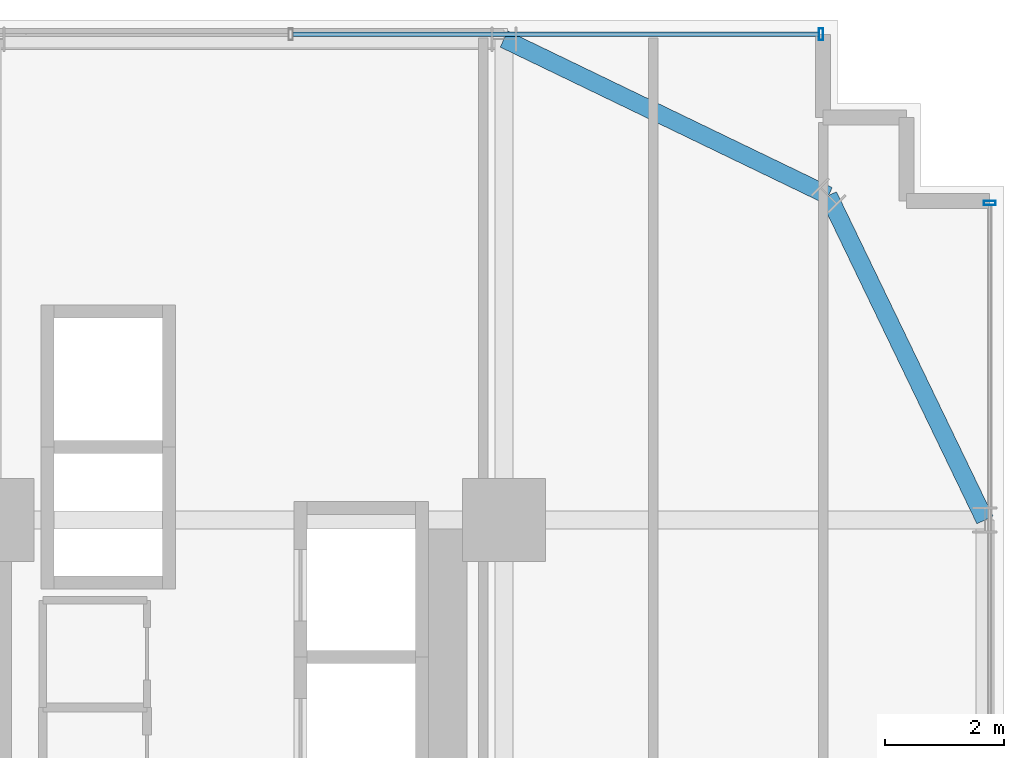
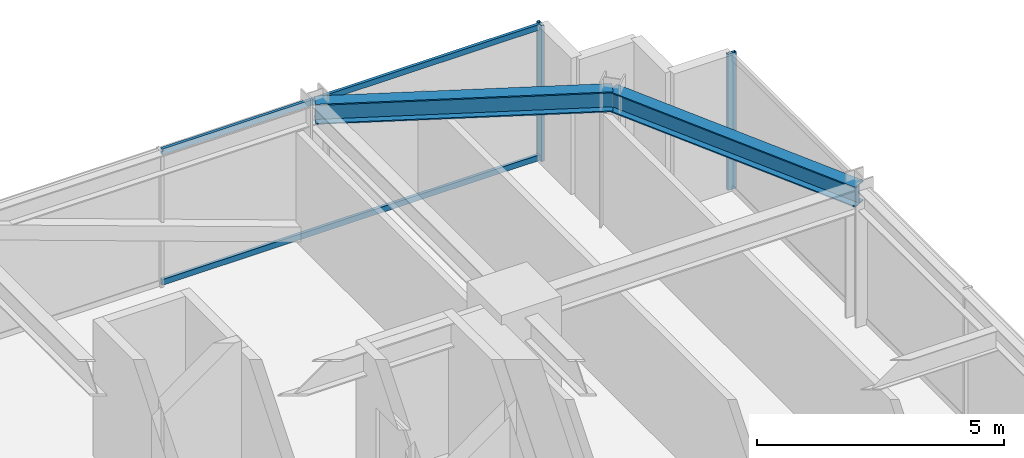
# One storey, part 29 of 38: 4 members, 2 beams, 2 elements without a shape of their own.
"""IFC4 building model written with IfcOpenShell, lengths in metres."""

from ifc_helpers import new_model, si_unit, direction, frame, origin, origin_2d, place, context, subcontext, project, spatial, hollow_rectangle, i_section, extrude, source, transform, mapped, material, material_profile, profile_set, type_object, element, aggregate, save


model = new_model("IFC4")

# Units and contexts
model_context = context("Model", 3, precision=1e-05, world=origin(), true_north=direction((0.0, 1.0)))
body_context = subcontext(model_context, "Body", "Model", "MODEL_VIEW")
ifc_project = project(units=[si_unit("LENGTHUNIT", "METRE"), si_unit("AREAUNIT", "SQUARE_METRE"), si_unit("VOLUMEUNIT", "CUBIC_METRE"), si_unit("PLANEANGLEUNIT", "RADIAN"), si_unit("MASSUNIT", "GRAM", prefix="KILO")], contexts=[model_context])

# Site, building, storey
site_placement = place(None, origin())
site = spatial("IfcSite", under=ifc_project, at=site_placement, CompositionType="ELEMENT")
building_placement = place(site_placement, origin())
building = spatial("IfcBuilding", under=site, at=building_placement, Name="Nahalor Promenade Grand Hotel", CompositionType="ELEMENT")
storey_placement = place(building_placement, frame((0.0, 0.0, 50.64990234375)))
storey = spatial("IfcBuildingStorey", under=building, at=storey_placement, Name="L11", CompositionType="ELEMENT", Elevation=50.64990234375)

# Beams
ifc_material_1 = material(Name="Steel S355JR", Category="steel")
ifc_material_profile_1 = material_profile(ifc_material_1, i_section(OverallWidth=0.3, OverallDepth=0.5, WebThickness=0.0145, FlangeThickness=0.028, at=origin_2d()), Name="HEB 500")
ifc_profile_set_1 = profile_set([ifc_material_profile_1], Name="Steel S355JR")
beam_type = type_object("IfcBeamType", Name="Beam-Spandrel-HEB500", PredefinedType="SPANDREL", material=ifc_profile_set_1)
shared_shape_1 = source(origin(), body_context, "Body", "SweptSolid", [
    extrude(i_section(OverallWidth=0.3, OverallDepth=0.5, WebThickness=0.0145, FlangeThickness=0.028, at=origin_2d()), origin(), (0.0, 0.0, 1.0), 6.051513671875),
])
for number, where, z_axis, x_axis, name in (
    (1, (17.0, 25.080078125, 3.1201171875), (0.900608818852, -0.434630596492, 0.0), (0.434630596492, 0.900608818852, 0.0), "BM-L11-SPC-NE-1"),
    (2, (22.449951171875, 22.449951171875, 3.1201171875), (0.434630596492, -0.900608818852, 0.0), (0.900608818852, 0.434630596492, 0.0), "BM-L11-SPC-NE-2"),
):
    element("IfcBeam", number, at=place(storey_placement, frame(where, z_axis=z_axis, x_axis=x_axis)), inside=storey, type_object=beam_type, Name=name, PredefinedType="SPANDREL", context=body_context, shape_type="MappedRepresentation", body=[
        mapped(shared_shape_1, transform((0.0, 0.0, 0.0), scale=1.0)),
    ])

# Curtain wall, members
ifc_material_2 = material(Name="Anodised Bronze Aluminium EN AW-6063 T6", Category="aluminium")
curtain_wall_type = type_object("IfcCurtainWallType", Name="CW3 Elliptical-Void Collar Unitised Curtain Wall", PredefinedType="USERDEFINED", material=ifc_material_2)
curtain_wall_1_placement = place(storey_placement, origin())
curtain_wall_1 = element("IfcCurtainWall", 3, at=curtain_wall_1_placement, inside=storey, type_object=curtain_wall_type, Name="L11 Curtain Wall CW-L11-N-1", ObjectType="UNITISED_CURTAIN_WALL", PredefinedType="USERDEFINED")
ifc_material_profile_2 = material_profile(ifc_material_2, hollow_rectangle(XDim=0.07, YDim=0.14, WallThickness=0.004, at=origin_2d()), Name="CWT 70x140x4")
ifc_profile_set_2 = profile_set([ifc_material_profile_2], Name="Anodised Bronze Aluminium EN AW-6063 T6")
member_type_1 = type_object("IfcMemberType", Name="CWT3 Void Collar Transom 70x140", PredefinedType="USERDEFINED", material=ifc_profile_set_2)
shared_shape_2 = source(origin(), body_context, "Body", "SweptSolid", [
    extrude(hollow_rectangle(XDim=0.07, YDim=0.14, WallThickness=0.004, at=origin_2d()), origin(), (0.0, 0.0, 1.0), 8.839111328125),
])
member_1_placement = place(storey_placement, frame((13.450927734375, 25.159912109375, 0.070068359375), z_axis=(1.0, 0.0, 0.0), x_axis=(0.0, 1.0, 0.0)))
member_1 = element("IfcMember", 4, at=member_1_placement, type_object=member_type_1, Name="CW-L11-N-1 Transom 4-0", ObjectType="TRANSOM", PredefinedType="USERDEFINED", context=body_context, shape_type="MappedRepresentation", body=[
    mapped(shared_shape_2, transform((0.0, 0.0, 0.0), scale=1.0)),
])
member_2_placement = place(storey_placement, frame((13.450927734375, 25.159912109375, 3.300048828125), z_axis=(1.0, 0.0, 0.0), x_axis=(0.0, 1.0, 0.0)))
member_2 = element("IfcMember", 5, at=member_2_placement, type_object=member_type_1, Name="CW-L11-N-1 Transom 4-1", ObjectType="TRANSOM", PredefinedType="USERDEFINED", context=body_context, shape_type="MappedRepresentation", body=[
    mapped(shared_shape_2, transform((0.0, 0.0, 0.0), scale=1.0)),
])
ifc_material_profile_3 = material_profile(ifc_material_2, hollow_rectangle(XDim=0.07, YDim=0.2, WallThickness=0.005, at=origin_2d()), Name="CWM 70x200x5")
ifc_profile_set_3 = profile_set([ifc_material_profile_3], Name="Anodised Bronze Aluminium EN AW-6063 T6")
member_type_2 = type_object("IfcMemberType", Name="CWM3 Void Collar Mullion 70x200", PredefinedType="MULLION", material=ifc_profile_set_3)
shared_shape_3 = source(origin(), body_context, "Body", "SweptSolid", [
    extrude(hollow_rectangle(XDim=0.07, YDim=0.2, WallThickness=0.005, at=origin_2d()), origin(), (0.0, 0.0, 1.0), 3.3701171875),
])
member_3_placement = place(storey_placement, frame((22.324951171875, 25.159912109375, 0.0), z_axis=(0.0, 0.0, 1.0), x_axis=(1.0, 0.0, 0.0)))
member_3 = element("IfcMember", 6, at=member_3_placement, type_object=member_type_2, Name="CW-L11-N-1 Mullion 5", PredefinedType="MULLION", context=body_context, shape_type="MappedRepresentation", body=[
    mapped(shared_shape_3, transform((0.0, 0.0, 0.0), scale=1.0)),
])
aggregate(curtain_wall_1, [member_3, member_1, member_2])

# Curtain wall, member
curtain_wall_2_placement = place(storey_placement, origin())
curtain_wall_2 = element("IfcCurtainWall", 7, at=curtain_wall_2_placement, inside=storey, type_object=curtain_wall_type, Name="L11 Curtain Wall CW-L11-E-2", ObjectType="UNITISED_CURTAIN_WALL", PredefinedType="USERDEFINED")
member_4_placement = place(storey_placement, frame((25.159912109375, 22.324951171875, 0.0), z_axis=(0.0, 0.0, 1.0), x_axis=(0.0, 1.0, 0.0)))
member_4 = element("IfcMember", 8, at=member_4_placement, type_object=member_type_2, Name="CW-L11-E-2 Mullion 2", PredefinedType="MULLION", context=body_context, shape_type="MappedRepresentation", body=[
    mapped(shared_shape_3, transform((0.0, 0.0, 0.0), scale=1.0)),
])
aggregate(curtain_wall_2, [member_4])

save(model, "model.ifc")
